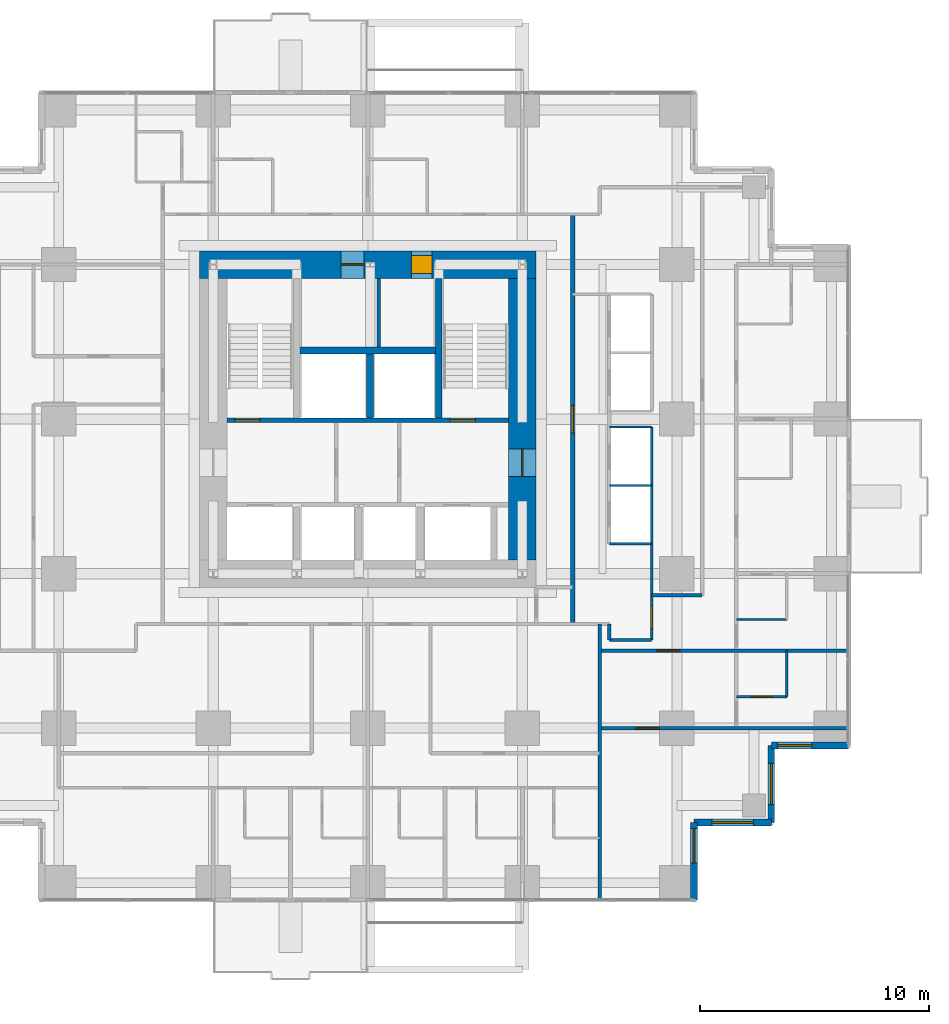
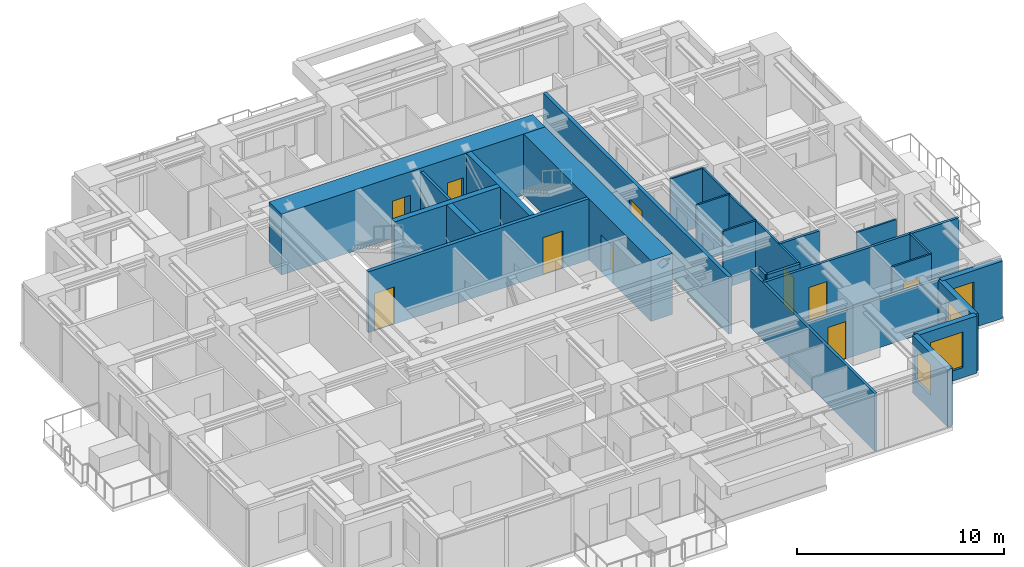
# One storey, part 9 of 13: 25 walls, 10 doors, 4 windows, 14 openings.
"""IFC4 building model written with IfcOpenShell, lengths in metres."""

from ifc_helpers import new_model, si_unit, direction, frame, frame_2d, origin, place, context, subcontext, project, spatial, rectangle, extrude, material, layer, layer_set, type_object, element, fill, save


model = new_model("IFC4")

# Units and contexts
model_context = context("Model", 3, precision=1e-05, world=origin(), true_north=direction((0.0, 1.0)))
body_context = subcontext(model_context, "Body", "Model", "MODEL_VIEW")
ifc_project = project(units=[si_unit("LENGTHUNIT", "METRE"), si_unit("AREAUNIT", "SQUARE_METRE"), si_unit("VOLUMEUNIT", "CUBIC_METRE"), si_unit("PLANEANGLEUNIT", "RADIAN"), si_unit("MASSUNIT", "GRAM", prefix="KILO")], contexts=[model_context])

# Site, building, storey
site_placement = place(None, origin())
site = spatial("IfcSite", under=ifc_project, at=site_placement, CompositionType="ELEMENT")
building_placement = place(site_placement, origin())
building = spatial("IfcBuilding", under=site, at=building_placement, Name="Nyansa Garden Tower", CompositionType="ELEMENT")
storey_placement = place(building_placement, frame((0.0, 0.0, 123.300048828125)))
storey = spatial("IfcBuildingStorey", under=building, at=storey_placement, Name="L33", CompositionType="ELEMENT", Elevation=123.300048828125)

# Wall, openings, doors
ifc_material_1 = material(Name="Concrete C70/85", Category="concrete")
ifc_layer_1 = layer(ifc_material_1, 0.199951171875)
ifc_layer_set_1 = layer_set([ifc_layer_1], Name="Core inner wall CI200")
wall_type_1 = type_object("IfcWallType", Name="Core inner wall CI200", PredefinedType="SHEAR", material=ifc_layer_set_1)
wall_1_placement = place(storey_placement, frame((14.10009765625, 20.199951171875, 0.0), z_axis=(0.0, 0.0, 1.0), x_axis=(1.0, 0.0, 0.0)))
wall_1 = element("IfcWall", 1, at=wall_1_placement, inside=storey, type_object=wall_type_1, Name="Core inner wall L33", PredefinedType="SHEAR", context=body_context, shape_type="SweptSolid", body=[
    extrude(rectangle(XDim=12.2998046875, YDim=0.199951171875, at=frame_2d((6.14990234375, 0.0))), origin(), (0.0, 0.0, 1.0), 3.599853515625),
])
opening_1_placement = place(wall_1_placement, frame((0.35009765625, 0.0, 0.0)))
opening_1 = element("IfcOpeningElement", 2, at=opening_1_placement, cuts=wall_1, Name="Opening D05", PredefinedType="OPENING", context=body_context, shape_type="SweptSolid", body=[
    extrude(rectangle(XDim=1.10009765625, YDim=2.199951171875, at=frame_2d((0.550048828125, 1.10009765625))), frame((0.0, 0.10986328125, 0.0), z_axis=(0.0, -1.0, 0.0), x_axis=(1.0, 0.0, 0.0)), (0.0, 0.0, 1.0), 0.219970703125),
])
opening_2_placement = place(wall_1_placement, frame((9.75, 0.0, 0.0)))
opening_2 = element("IfcOpeningElement", 3, at=opening_2_placement, cuts=wall_1, Name="Opening D05", PredefinedType="OPENING", context=body_context, shape_type="SweptSolid", body=[
    extrude(rectangle(XDim=1.10009765625, YDim=2.199951171875, at=frame_2d((0.550048828125, 1.10009765625))), frame((0.0, 0.10986328125, 0.0), z_axis=(0.0, -1.0, 0.0), x_axis=(1.0, 0.0, 0.0)), (0.0, 0.0, 1.0), 0.219970703125),
])
ifc_material_2 = material(Name="Steel door, 120 minute fire resisting", Category="steel")
door_type_1 = type_object("IfcDoorType", Name="Stair door D05 1100x2200", OperationType="SINGLE_SWING_LEFT", PredefinedType="DOOR", material=ifc_material_2)
door_1_placement = place(opening_1_placement, origin())
door_1 = element("IfcDoor", 4, at=door_1_placement, inside=storey, type_object=door_type_1, Name="Stair S1 door", OperationType="SINGLE_SWING_LEFT", OverallHeight=2.199951171875, OverallWidth=1.10009765625, PredefinedType="DOOR", context=body_context, shape_type="SweptSolid", body=[
    extrude(rectangle(XDim=1.10009765625, YDim=2.199951171875, at=frame_2d((0.550048828125, 1.10009765625))), frame((0.0, 0.02490234375, 0.0), z_axis=(0.0, -1.0, 0.0), x_axis=(1.0, 0.0, 0.0)), (0.0, 0.0, 1.0), 0.050048828125),
])
fill(opening_1, door_1)
door_2_placement = place(opening_2_placement, origin())
door_2 = element("IfcDoor", 5, at=door_2_placement, inside=storey, type_object=door_type_1, Name="Stair S2 door", OperationType="SINGLE_SWING_LEFT", OverallHeight=2.199951171875, OverallWidth=1.10009765625, PredefinedType="DOOR", context=body_context, shape_type="SweptSolid", body=[
    extrude(rectangle(XDim=1.10009765625, YDim=2.199951171875, at=frame_2d((0.550048828125, 1.10009765625))), frame((0.0, 0.02490234375, 0.0), z_axis=(0.0, -1.0, 0.0), x_axis=(1.0, 0.0, 0.0)), (0.0, 0.0, 1.0), 0.050048828125),
])
fill(opening_2, door_2)

# Walls
ifc_material_3 = material(Name="Concrete C70/85", Category="concrete")
ifc_layer_2 = layer(ifc_material_3, 0.300048828125)
ifc_layer_set_2 = layer_set([ifc_layer_2], Name="Core inner wall CI300")
wall_type_2 = type_object("IfcWallType", Name="Core inner wall CI300", PredefinedType="SHEAR", material=ifc_layer_set_2)
wall_2_placement = place(storey_placement, frame((23.35009765625, 20.300048828125, 0.0), z_axis=(0.0, 0.0, 1.0), x_axis=(0.0, 1.0, 0.0)))
element("IfcWall", 6, at=wall_2_placement, inside=storey, type_object=wall_type_2, Name="Core inner wall L33", PredefinedType="SHEAR", context=body_context, shape_type="SweptSolid", body=[
    extrude(rectangle(XDim=6.099853515625, YDim=0.300048828125, at=frame_2d((3.0498046875, 0.0))), origin(), (0.0, 0.0, 1.0), 3.599853515625),
])
wall_3_placement = place(storey_placement, frame((20.35009765625, 20.300048828125, 0.0), z_axis=(0.0, 0.0, 1.0), x_axis=(0.0, 1.0, 0.0)))
element("IfcWall", 7, at=wall_3_placement, inside=storey, type_object=wall_type_2, Name="Core inner wall L33", PredefinedType="SHEAR", context=body_context, shape_type="SweptSolid", body=[
    extrude(rectangle(XDim=2.800048828125, YDim=0.300048828125, at=frame_2d((1.39990234375, 0.0))), origin(), (0.0, 0.0, 1.0), 3.599853515625),
])
wall_4_placement = place(storey_placement, frame((17.300048828125, 23.25, 0.0), z_axis=(0.0, 0.0, 1.0), x_axis=(1.0, 0.0, 0.0)))
element("IfcWall", 8, at=wall_4_placement, inside=storey, type_object=wall_type_2, Name="Core inner wall L33", PredefinedType="SHEAR", context=body_context, shape_type="SweptSolid", body=[
    extrude(rectangle(XDim=5.89990234375, YDim=0.300048828125, at=frame_2d((2.949951171875, 0.0))), origin(), (0.0, 0.0, 1.0), 3.599853515625),
])

# Wall, opening, door
ifc_material_4 = material(Name="Concrete C80/95", Category="concrete")
ifc_layer_3 = layer(ifc_material_4, 1.199951171875)
ifc_layer_set_3 = layer_set([ifc_layer_3], Name="Core wall CW1200")
wall_type_3 = type_object("IfcWallType", Name="Core wall CW1200", PredefinedType="SHEAR", material=ifc_layer_set_3)
wall_5_placement = place(storey_placement, frame((27.0, 14.10009765625, 0.0), z_axis=(0.0, 0.0, 1.0), x_axis=(0.0, 1.0, 0.0)))
wall_5 = element("IfcWall", 9, at=wall_5_placement, inside=storey, type_object=wall_type_3, Name="Core wall E L33", PredefinedType="SHEAR", context=body_context, shape_type="SweptSolid", body=[
    extrude(rectangle(XDim=12.2998046875, YDim=1.199951171875, at=frame_2d((6.14990234375, 0.0))), origin(), (0.0, 0.0, 1.0), 3.599853515625),
])
opening_3_placement = place(wall_5_placement, frame((3.64990234375, 0.0, 0.0)))
opening_3 = element("IfcOpeningElement", 10, at=opening_3_placement, cuts=wall_5, Name="Opening D06", PredefinedType="OPENING", context=body_context, shape_type="SweptSolid", body=[
    extrude(rectangle(XDim=1.199951171875, YDim=2.199951171875, at=frame_2d((0.60009765625, 1.10009765625))), frame((0.0, 0.60986328125, 0.0), z_axis=(0.0, -1.0, 0.0), x_axis=(1.0, 0.0, 0.0)), (0.0, 0.0, 1.0), 1.219970703125),
])
ifc_material_5 = material(Name="Steel door, 120 minute fire resisting", Category="steel")
door_type_2 = type_object("IfcDoorType", Name="Lobby door D06 1200x2200", OperationType="DOUBLE_DOOR_SINGLE_SWING", PredefinedType="DOOR", material=ifc_material_5)
door_3_placement = place(opening_3_placement, origin())
door_3 = element("IfcDoor", 11, at=door_3_placement, inside=storey, type_object=door_type_2, Name="Lift lobby door east", OperationType="DOUBLE_DOOR_SINGLE_SWING", OverallHeight=2.199951171875, OverallWidth=1.199951171875, PredefinedType="DOOR", context=body_context, shape_type="SweptSolid", body=[
    extrude(rectangle(XDim=1.199951171875, YDim=2.199951171875, at=frame_2d((0.60009765625, 1.10009765625))), frame((0.0, 0.02490234375, 0.0), z_axis=(0.0, -1.0, 0.0), x_axis=(1.0, 0.0, 0.0)), (0.0, 0.0, 1.0), 0.050048828125),
])
fill(opening_3, door_3)

# Wall, openings, doors
wall_6_placement = place(storey_placement, frame((27.60009765625, 27.0, 0.0), z_axis=(0.0, 0.0, 1.0), x_axis=(-1.0, 0.0, 0.0)))
wall_6 = element("IfcWall", 12, at=wall_6_placement, inside=storey, type_object=wall_type_3, Name="Core wall N L33", PredefinedType="SHEAR", context=body_context, shape_type="SweptSolid", body=[
    extrude(rectangle(XDim=14.7001953125, YDim=1.199951171875, at=frame_2d((7.35009765625, 0.0))), origin(), (0.0, 0.0, 1.0), 3.599853515625),
])
opening_4_placement = place(wall_6_placement, frame((4.550048828125, 0.0, 0.0)))
opening_4 = element("IfcOpeningElement", 13, at=opening_4_placement, cuts=wall_6, Name="Opening D15", PredefinedType="OPENING", context=body_context, shape_type="SweptSolid", body=[
    extrude(rectangle(XDim=0.89990234375, YDim=2.199951171875, at=frame_2d((0.449951171875, 1.10009765625))), frame((0.0, 0.60986328125, 0.0), z_axis=(0.0, -1.0, 0.0), x_axis=(1.0, 0.0, 0.0)), (0.0, 0.0, 1.0), 1.219970703125),
])
opening_5_placement = place(wall_6_placement, frame((7.52490234375, 0.0, 0.0)))
opening_5 = element("IfcOpeningElement", 14, at=opening_5_placement, cuts=wall_6, Name="Opening D07", PredefinedType="OPENING", context=body_context, shape_type="SweptSolid", body=[
    extrude(rectangle(XDim=1.0, YDim=2.199951171875, at=frame_2d((0.5, 1.10009765625))), frame((0.0, 0.60986328125, 0.0), z_axis=(0.0, -1.0, 0.0), x_axis=(1.0, 0.0, 0.0)), (0.0, 0.0, 1.0), 1.219970703125),
])
ifc_material_6 = material(Name="Timber flush door, 60 minute fire resisting, self-closing", Category="wood")
door_type_3 = type_object("IfcDoorType", Name="Core room door D15 900x2200", OperationType="SINGLE_SWING_LEFT", PredefinedType="DOOR", material=ifc_material_6)
door_4_placement = place(opening_4_placement, origin())
door_4 = element("IfcDoor", 15, at=door_4_placement, inside=storey, type_object=door_type_3, Name="Core room door", OperationType="SINGLE_SWING_LEFT", OverallHeight=2.199951171875, OverallWidth=0.89990234375, PredefinedType="DOOR", context=body_context, shape_type="SweptSolid", body=[
    extrude(rectangle(XDim=0.89990234375, YDim=2.199951171875, at=frame_2d((0.449951171875, 1.10009765625))), frame((0.0, 0.39990234375, 0.0), z_axis=(0.0, -1.0, 0.0), x_axis=(1.0, 0.0, 0.0)), (0.0, 0.0, 1.0), 0.800048828125),
])
fill(opening_4, door_4)
ifc_material_7 = material(Name="Steel door, 120 minute fire resisting", Category="steel")
door_type_4 = type_object("IfcDoorType", Name="Riser door D07 1000x2200", OperationType="SINGLE_SWING_LEFT", PredefinedType="DOOR", material=ifc_material_7)
door_5_placement = place(opening_5_placement, origin())
door_5 = element("IfcDoor", 16, at=door_5_placement, inside=storey, type_object=door_type_4, Name="Riser and refuse room door", OperationType="SINGLE_SWING_LEFT", OverallHeight=2.199951171875, OverallWidth=1.0, PredefinedType="DOOR", context=body_context, shape_type="SweptSolid", body=[
    extrude(rectangle(XDim=1.0, YDim=2.199951171875, at=frame_2d((0.5, 1.10009765625))), frame((0.0, 0.02490234375, 0.0), z_axis=(0.0, -1.0, 0.0), x_axis=(1.0, 0.0, 0.0)), (0.0, 0.0, 1.0), 0.050048828125),
])
fill(opening_5, door_5)

# Wall, opening, door
ifc_material_8 = material(Name="Concrete blockwork, plastered, 60 minute fire resisting", Category="masonry")
ifc_layer_4 = layer(ifc_material_8, 0.199951171875)
ifc_layer_set_4 = layer_set([ifc_layer_4], Name="Corridor wall FW200")
wall_type_4 = type_object("IfcWallType", Name="Corridor wall FW200", PredefinedType="PARTITIONING", material=ifc_layer_set_4)
wall_7_placement = place(storey_placement, frame((29.199951171875, 11.300048828125, 0.0), z_axis=(0.0, 0.0, 1.0), x_axis=(0.0, 1.0, 0.0)))
wall_7 = element("IfcWall", 17, at=wall_7_placement, inside=storey, type_object=wall_type_4, Name="Corridor wall", PredefinedType="PARTITIONING", context=body_context, shape_type="SweptSolid", body=[
    extrude(rectangle(XDim=17.89990234375, YDim=0.199951171875, at=frame_2d((8.949951171875, 0.0))), origin(), (0.0, 0.0, 1.0), 3.375),
])
opening_6_placement = place(wall_7_placement, frame((8.35009765625, 0.0, 0.0)))
opening_6 = element("IfcOpeningElement", 18, at=opening_6_placement, cuts=wall_7, Name="Opening D06", PredefinedType="OPENING", context=body_context, shape_type="SweptSolid", body=[
    extrude(rectangle(XDim=1.199951171875, YDim=2.199951171875, at=frame_2d((0.60009765625, 1.10009765625))), frame((0.0, 0.10986328125, 0.0), z_axis=(0.0, -1.0, 0.0), x_axis=(1.0, 0.0, 0.0)), (0.0, 0.0, 1.0), 0.219970703125),
])
door_6_placement = place(opening_6_placement, origin())
door_6 = element("IfcDoor", 19, at=door_6_placement, inside=storey, type_object=door_type_2, Name="Low-rise lift lobby door", OperationType="DOUBLE_DOOR_SINGLE_SWING", OverallHeight=2.199951171875, OverallWidth=1.199951171875, PredefinedType="DOOR", context=body_context, shape_type="SweptSolid", body=[
    extrude(rectangle(XDim=1.199951171875, YDim=2.199951171875, at=frame_2d((0.60009765625, 1.10009765625))), frame((0.0, 0.02490234375, 0.0), z_axis=(0.0, -1.0, 0.0), x_axis=(1.0, 0.0, 0.0)), (0.0, 0.0, 1.0), 0.050048828125),
])
fill(opening_6, door_6)

# Walls
ifc_material_9 = material(Name="Steel-stud shaft wall, two layers fire-rated board, EI 120", Category="steel")
ifc_layer_5 = layer(ifc_material_9, 0.10009765625)
ifc_layer_set_5 = layer_set([ifc_layer_5], Name="Lift shaft wall SW100")
wall_type_5 = type_object("IfcWallType", Name="Lift shaft wall SW100", PredefinedType="SHEAR", material=ifc_layer_set_5)
for number, where, z_axis, x_axis, name in (
    (20, (30.800048828125, 14.800048828125, 0.0), (0.0, 0.0, 1.0), (1.0, 0.0, 0.0), "Lift shaft wall"),
    (21, (30.800048828125, 17.35009765625, 0.0), (0.0, 0.0, 1.0), (1.0, 0.0, 0.0), "Lift shaft wall"),
    (22, (30.800048828125, 19.89990234375, 0.0), (0.0, 0.0, 1.0), (1.0, 0.0, 0.0), "Lift shaft wall"),
):
    element("IfcWall", number, at=place(storey_placement, frame(where, z_axis=z_axis, x_axis=x_axis)), inside=storey, type_object=wall_type_5, Name=name, PredefinedType="SHEAR", context=body_context, shape_type="SweptSolid", body=[
        extrude(rectangle(XDim=1.849853515625, YDim=0.10009765625, at=frame_2d((0.9248046875, 0.0))), origin(), (0.0, 0.0, 1.0), 3.375),
    ])

# Wall, opening, door
wall_8_placement = place(storey_placement, frame((32.64990234375, 10.60009765625, 0.0), z_axis=(0.0, 0.0, 1.0), x_axis=(0.0, 1.0, 0.0)))
wall_8 = element("IfcWall", 23, at=wall_8_placement, inside=storey, type_object=wall_type_5, Name="Lift shaft wall", PredefinedType="SHEAR", context=body_context, shape_type="SweptSolid", body=[
    extrude(rectangle(XDim=9.2998046875, YDim=0.10009765625, at=frame_2d((4.64990234375, 0.0))), origin(), (0.0, 0.0, 1.0), 3.375),
])
opening_7_placement = place(wall_8_placement, frame((0.5, 0.0, 0.0)))
opening_7 = element("IfcOpeningElement", 24, at=opening_7_placement, cuts=wall_8, Name="Opening D03", PredefinedType="OPENING", context=body_context, shape_type="SweptSolid", body=[
    extrude(rectangle(XDim=1.0, YDim=2.199951171875, at=frame_2d((0.5, 1.10009765625))), frame((0.0, 0.06005859375, 0.0), z_axis=(0.0, -1.0, 0.0), x_axis=(1.0, 0.0, 0.0)), (0.0, 0.0, 1.0), 0.1201171875),
])
ifc_material_10 = material(Name="Timber flush door, 60 minute fire resisting", Category="wood")
door_type_5 = type_object("IfcDoorType", Name="Cluster entrance door D03 1000x2200", OperationType="SINGLE_SWING_LEFT", PredefinedType="DOOR", material=ifc_material_10)
door_7_placement = place(opening_7_placement, origin())
door_7 = element("IfcDoor", 25, at=door_7_placement, inside=storey, type_object=door_type_5, Name="Door L33-042", OperationType="SINGLE_SWING_LEFT", OverallHeight=2.199951171875, OverallWidth=1.0, PredefinedType="DOOR", context=body_context, shape_type="SweptSolid", body=[
    extrude(rectangle(XDim=1.0, YDim=2.199951171875, at=frame_2d((0.5, 1.10009765625))), frame((0.0, 0.02490234375, 0.0), z_axis=(0.0, -1.0, 0.0), x_axis=(1.0, 0.0, 0.0)), (0.0, 0.0, 1.0), 0.050048828125),
])
fill(opening_7, door_7)

# Walls
ifc_material_11 = material(Name="Blockwork, plastered both sides", Category="masonry")
ifc_layer_6 = layer(ifc_material_11, 0.14990234375)
ifc_layer_set_6 = layer_set([ifc_layer_6], Name="Partition PW150")
wall_type_6 = type_object("IfcWallType", Name="Partition PW150", PredefinedType="PARTITIONING", material=ifc_layer_set_6)
wall_9_placement = place(storey_placement, frame((20.72509765625, 23.39990234375, 0.0), z_axis=(0.0, 0.0, 1.0), x_axis=(0.0, 1.0, 0.0)))
element("IfcWall", 26, at=wall_9_placement, inside=storey, type_object=wall_type_6, Name="Partition", PredefinedType="PARTITIONING", context=body_context, shape_type="SweptSolid", body=[
    extrude(rectangle(XDim=3.0, YDim=0.14990234375, at=frame_2d((1.5, 0.0))), origin(), (0.0, 0.0, 1.0), 3.375),
])
wall_10_placement = place(storey_placement, frame((30.375, -0.73388671875, 0.0), z_axis=(0.0, 0.0, 1.0), x_axis=(0.0, 1.0, 0.0)))
element("IfcWall", 27, at=wall_10_placement, inside=storey, type_object=wall_type_6, Name="Partition", PredefinedType="PARTITIONING", context=body_context, shape_type="SweptSolid", body=[
    extrude(rectangle(XDim=12.033935546875, YDim=0.14990234375, at=frame_2d((6.01708984375, 0.0))), origin(), (0.0, 0.0, 1.0), 3.375),
])

# Wall, opening, door
wall_11_placement = place(storey_placement, frame((30.375, 6.75, 0.0), z_axis=(0.0, 0.0, 1.0), x_axis=(1.0, 0.0, 0.0)))
wall_11 = element("IfcWall", 28, at=wall_11_placement, inside=storey, type_object=wall_type_6, Name="Partition", PredefinedType="PARTITIONING", context=body_context, shape_type="SweptSolid", body=[
    extrude(rectangle(XDim=10.85888671875, YDim=0.14990234375, at=frame_2d((5.429443359375, 0.0))), origin(), (0.0, 0.0, 1.0), 2.876953125),
])
opening_8_placement = place(wall_11_placement, frame((1.60009765625, 0.0, 0.0)))
opening_8 = element("IfcOpeningElement", 29, at=opening_8_placement, cuts=wall_11, Name="Opening D03", PredefinedType="OPENING", context=body_context, shape_type="SweptSolid", body=[
    extrude(rectangle(XDim=1.0, YDim=2.199951171875, at=frame_2d((0.5, 1.10009765625))), frame((0.0, 0.0849609375, 0.0), z_axis=(0.0, -1.0, 0.0), x_axis=(1.0, 0.0, 0.0)), (0.0, 0.0, 1.0), 0.169921875),
])
door_8_placement = place(opening_8_placement, origin())
door_8 = element("IfcDoor", 30, at=door_8_placement, inside=storey, type_object=door_type_5, Name="Door L33-032", OperationType="SINGLE_SWING_LEFT", OverallHeight=2.199951171875, OverallWidth=1.0, PredefinedType="DOOR", context=body_context, shape_type="SweptSolid", body=[
    extrude(rectangle(XDim=1.0, YDim=2.199951171875, at=frame_2d((0.5, 1.10009765625))), frame((0.0, 0.02490234375, 0.0), z_axis=(0.0, -1.0, 0.0), x_axis=(1.0, 0.0, 0.0)), (0.0, 0.0, 1.0), 0.050048828125),
])
fill(opening_8, door_8)

wall_12_placement = place(storey_placement, frame((30.375, 10.125, 0.0), z_axis=(0.0, 0.0, 1.0), x_axis=(1.0, 0.0, 0.0)))
wall_12 = element("IfcWall", 31, at=wall_12_placement, inside=storey, type_object=wall_type_6, Name="Partition", PredefinedType="PARTITIONING", context=body_context, shape_type="SweptSolid", body=[
    extrude(rectangle(XDim=10.85888671875, YDim=0.14990234375, at=frame_2d((5.429443359375, 0.0))), origin(), (0.0, 0.0, 1.0), 3.375),
])
opening_9_placement = place(wall_12_placement, frame((2.5, 0.0, 0.0)))
opening_9 = element("IfcOpeningElement", 32, at=opening_9_placement, cuts=wall_12, Name="Opening D03", PredefinedType="OPENING", context=body_context, shape_type="SweptSolid", body=[
    extrude(rectangle(XDim=1.0, YDim=2.199951171875, at=frame_2d((0.5, 1.10009765625))), frame((0.0, 0.0849609375, 0.0), z_axis=(0.0, -1.0, 0.0), x_axis=(1.0, 0.0, 0.0)), (0.0, 0.0, 1.0), 0.169921875),
])
door_9_placement = place(opening_9_placement, origin())
door_9 = element("IfcDoor", 33, at=door_9_placement, inside=storey, type_object=door_type_5, Name="Door L33-035", OperationType="SINGLE_SWING_LEFT", OverallHeight=2.199951171875, OverallWidth=1.0, PredefinedType="DOOR", context=body_context, shape_type="SweptSolid", body=[
    extrude(rectangle(XDim=1.0, YDim=2.199951171875, at=frame_2d((0.5, 1.10009765625))), frame((0.0, 0.02490234375, 0.0), z_axis=(0.0, -1.0, 0.0), x_axis=(1.0, 0.0, 0.0)), (0.0, 0.0, 1.0), 0.050048828125),
])
fill(opening_9, door_9)

# Walls
wall_13_placement = place(storey_placement, frame((30.800048828125, 10.60009765625, 0.0), z_axis=(0.0, 0.0, 1.0), x_axis=(0.0, 1.0, 0.0)))
element("IfcWall", 34, at=wall_13_placement, inside=storey, type_object=wall_type_6, Name="Partition", PredefinedType="PARTITIONING", context=body_context, shape_type="SweptSolid", body=[
    extrude(rectangle(XDim=0.699951171875, YDim=0.14990234375, at=frame_2d((0.35009765625, 0.0))), origin(), (0.0, 0.0, 1.0), 3.375),
])
wall_14_placement = place(storey_placement, frame((30.800048828125, 10.60009765625, 0.0), z_axis=(0.0, 0.0, 1.0), x_axis=(1.0, 0.0, 0.0)))
element("IfcWall", 35, at=wall_14_placement, inside=storey, type_object=wall_type_6, Name="Partition", PredefinedType="PARTITIONING", context=body_context, shape_type="SweptSolid", body=[
    extrude(rectangle(XDim=1.849853515625, YDim=0.14990234375, at=frame_2d((0.9248046875, 0.0))), origin(), (0.0, 0.0, 1.0), 3.375),
])
wall_15_placement = place(storey_placement, frame((32.64990234375, 12.550048828125, 0.0), z_axis=(0.0, 0.0, 1.0), x_axis=(1.0, 0.0, 0.0)))
element("IfcWall", 36, at=wall_15_placement, inside=storey, type_object=wall_type_6, Name="Partition", PredefinedType="PARTITIONING", context=body_context, shape_type="SweptSolid", body=[
    extrude(rectangle(XDim=2.2001953125, YDim=0.14990234375, at=frame_2d((1.10009765625, 0.0))), origin(), (0.0, 0.0, 1.0), 3.375),
])

# Wall, opening, window
ifc_material_12 = material(Name="Turquoise glazed tile on concrete blockwork", Category="masonry")
ifc_layer_7 = layer(ifc_material_12, 0.300048828125)
ifc_layer_set_7 = layer_set([ifc_layer_7], Name="Tiled corner wall TW300")
wall_type_7 = type_object("IfcWallType", Name="Tiled corner wall TW300", PredefinedType="SOLIDWALL", material=ifc_layer_set_7)
wall_16_placement = place(storey_placement, frame((34.5, -0.75, 0.0), z_axis=(0.0, 0.0, 1.0), x_axis=(0.0, 1.0, 0.0)))
wall_16 = element("IfcWall", 37, at=wall_16_placement, inside=storey, type_object=wall_type_7, Name="Tiled corner wall L33", PredefinedType="SOLIDWALL", context=body_context, shape_type="SweptSolid", body=[
    extrude(rectangle(XDim=3.375, YDim=0.300048828125, at=frame_2d((1.6875, 0.0))), origin(), (0.0, 0.0, 1.0), 3.375),
])
opening_10_placement = place(wall_16_placement, frame((1.607421875, 0.0, 0.89990234375)))
opening_10 = element("IfcOpeningElement", 38, at=opening_10_placement, cuts=wall_16, Name="Opening W1", PredefinedType="OPENING", context=body_context, shape_type="SweptSolid", body=[
    extrude(rectangle(XDim=1.5, YDim=1.800048828125, at=frame_2d((0.75, 0.89990234375))), frame((0.0, 0.159912109375, 0.0), z_axis=(0.0, -1.0, 0.0), x_axis=(1.0, 0.0, 0.0)), (0.0, 0.0, 1.0), 0.320068359375),
])
ifc_material_13 = material(Name="Black aluminium frame, dark tinted double glazing", Category="aluminium")
window_type_1 = type_object("IfcWindowType", Name="Window W1 1500x1800", PartitioningType="SINGLE_PANEL", PredefinedType="WINDOW", material=ifc_material_13)
window_1_placement = place(opening_10_placement, origin())
window_1 = element("IfcWindow", 39, at=window_1_placement, inside=storey, type_object=window_type_1, Name="Corner window L33", OverallHeight=1.800048828125, OverallWidth=1.5, PartitioningType="SINGLE_PANEL", PredefinedType="WINDOW", context=body_context, shape_type="SweptSolid", body=[
    extrude(rectangle(XDim=1.5, YDim=1.800048828125, at=frame_2d((0.75, 0.89990234375))), frame((0.0, 0.030029296875, 0.0), z_axis=(0.0, -1.0, 0.0), x_axis=(1.0, 0.0, 0.0)), (0.0, 0.0, 1.0), 0.06005859375),
])
fill(opening_10, window_1)

wall_17_placement = place(storey_placement, frame((34.5, 2.625, 0.0), z_axis=(0.0, 0.0, 1.0), x_axis=(1.0, 0.0, 0.0)))
wall_17 = element("IfcWall", 40, at=wall_17_placement, inside=storey, type_object=wall_type_7, Name="Tiled corner wall L33", PredefinedType="SOLIDWALL", context=body_context, shape_type="SweptSolid", body=[
    extrude(rectangle(XDim=3.375, YDim=0.300048828125, at=frame_2d((1.6875, 0.0))), origin(), (0.0, 0.0, 1.0), 3.375),
])
opening_11_placement = place(wall_17_placement, frame((0.78759765625, 0.0, 0.60009765625)))
opening_11 = element("IfcOpeningElement", 41, at=opening_11_placement, cuts=wall_17, Name="Opening W2", PredefinedType="OPENING", context=body_context, shape_type="SweptSolid", body=[
    extrude(rectangle(XDim=1.800048828125, YDim=2.10009765625, at=frame_2d((0.89990234375, 1.050048828125))), frame((0.0, 0.159912109375, 0.0), z_axis=(0.0, -1.0, 0.0), x_axis=(1.0, 0.0, 0.0)), (0.0, 0.0, 1.0), 0.320068359375),
])
ifc_material_14 = material(Name="Black aluminium frame, dark tinted double glazing", Category="aluminium")
window_type_2 = type_object("IfcWindowType", Name="Window W2 1800x2100", PartitioningType="SINGLE_PANEL", PredefinedType="WINDOW", material=ifc_material_14)
window_2_placement = place(opening_11_placement, origin())
window_2 = element("IfcWindow", 42, at=window_2_placement, inside=storey, type_object=window_type_2, Name="Corner window L33", OverallHeight=2.10009765625, OverallWidth=1.800048828125, PartitioningType="SINGLE_PANEL", PredefinedType="WINDOW", context=body_context, shape_type="SweptSolid", body=[
    extrude(rectangle(XDim=1.800048828125, YDim=2.10009765625, at=frame_2d((0.89990234375, 1.050048828125))), frame((0.0, 0.030029296875, 0.0), z_axis=(0.0, -1.0, 0.0), x_axis=(1.0, 0.0, 0.0)), (0.0, 0.0, 1.0), 0.06005859375),
])
fill(opening_11, window_2)

wall_18_placement = place(storey_placement, frame((37.875, 2.625, 0.0), z_axis=(0.0, 0.0, 1.0), x_axis=(0.0, 1.0, 0.0)))
wall_18 = element("IfcWall", 43, at=wall_18_placement, inside=storey, type_object=wall_type_7, Name="Tiled corner wall L33", PredefinedType="SOLIDWALL", context=body_context, shape_type="SweptSolid", body=[
    extrude(rectangle(XDim=3.375, YDim=0.300048828125, at=frame_2d((1.6875, 0.0))), origin(), (0.0, 0.0, 1.0), 3.375),
])
opening_12_placement = place(wall_18_placement, frame((0.78759765625, 0.0, 0.60009765625)))
opening_12 = element("IfcOpeningElement", 44, at=opening_12_placement, cuts=wall_18, Name="Opening W2", PredefinedType="OPENING", context=body_context, shape_type="SweptSolid", body=[
    extrude(rectangle(XDim=1.800048828125, YDim=2.10009765625, at=frame_2d((0.89990234375, 1.050048828125))), frame((0.0, 0.159912109375, 0.0), z_axis=(0.0, -1.0, 0.0), x_axis=(1.0, 0.0, 0.0)), (0.0, 0.0, 1.0), 0.320068359375),
])
window_3_placement = place(opening_12_placement, origin())
window_3 = element("IfcWindow", 45, at=window_3_placement, inside=storey, type_object=window_type_2, Name="Corner window L33", OverallHeight=2.10009765625, OverallWidth=1.800048828125, PartitioningType="SINGLE_PANEL", PredefinedType="WINDOW", context=body_context, shape_type="SweptSolid", body=[
    extrude(rectangle(XDim=1.800048828125, YDim=2.10009765625, at=frame_2d((0.89990234375, 1.050048828125))), frame((0.0, 0.030029296875, 0.0), z_axis=(0.0, -1.0, 0.0), x_axis=(1.0, 0.0, 0.0)), (0.0, 0.0, 1.0), 0.06005859375),
])
fill(opening_12, window_3)

wall_19_placement = place(storey_placement, frame((37.875, 6.0, 0.0), z_axis=(0.0, 0.0, 1.0), x_axis=(1.0, 0.0, 0.0)))
wall_19 = element("IfcWall", 46, at=wall_19_placement, inside=storey, type_object=wall_type_7, Name="Tiled corner wall L33", PredefinedType="SOLIDWALL", context=body_context, shape_type="SweptSolid", body=[
    extrude(rectangle(XDim=3.375, YDim=0.300048828125, at=frame_2d((1.6875, 0.0))), origin(), (0.0, 0.0, 1.0), 3.375),
])
opening_13_placement = place(wall_19_placement, frame((0.267578125, 0.0, 0.89990234375)))
opening_13 = element("IfcOpeningElement", 47, at=opening_13_placement, cuts=wall_19, Name="Opening W1", PredefinedType="OPENING", context=body_context, shape_type="SweptSolid", body=[
    extrude(rectangle(XDim=1.5, YDim=1.800048828125, at=frame_2d((0.75, 0.89990234375))), frame((0.0, 0.159912109375, 0.0), z_axis=(0.0, -1.0, 0.0), x_axis=(1.0, 0.0, 0.0)), (0.0, 0.0, 1.0), 0.320068359375),
])
window_4_placement = place(opening_13_placement, origin())
window_4 = element("IfcWindow", 48, at=window_4_placement, inside=storey, type_object=window_type_1, Name="Corner window L33", OverallHeight=1.800048828125, OverallWidth=1.5, PartitioningType="SINGLE_PANEL", PredefinedType="WINDOW", context=body_context, shape_type="SweptSolid", body=[
    extrude(rectangle(XDim=1.5, YDim=1.800048828125, at=frame_2d((0.75, 0.89990234375))), frame((0.0, 0.030029296875, 0.0), z_axis=(0.0, -1.0, 0.0), x_axis=(1.0, 0.0, 0.0)), (0.0, 0.0, 1.0), 0.06005859375),
])
fill(opening_13, window_4)

# Wall, opening, door
ifc_material_15 = material(Name="Moisture resistant board on steel studs, tiled", Category="steel")
ifc_layer_8 = layer(ifc_material_15, 0.10009765625)
ifc_layer_set_8 = layer_set([ifc_layer_8], Name="Wet wall PW100")
wall_type_8 = type_object("IfcWallType", Name="Wet wall PW100", PredefinedType="PARTITIONING", material=ifc_layer_set_8)
wall_20_placement = place(storey_placement, frame((36.35009765625, 8.125, 0.0), z_axis=(0.0, 0.0, 1.0), x_axis=(1.0, 0.0, 0.0)))
wall_20 = element("IfcWall", 49, at=wall_20_placement, inside=storey, type_object=wall_type_8, Name="Wet wall", PredefinedType="PARTITIONING", context=body_context, shape_type="SweptSolid", body=[
    extrude(rectangle(XDim=2.199951171875, YDim=0.10009765625, at=frame_2d((1.10009765625, 0.0))), origin(), (0.0, 0.0, 1.0), 3.375),
])
opening_14_placement = place(wall_20_placement, frame((0.64990234375, 0.0, 0.0)))
opening_14 = element("IfcOpeningElement", 50, at=opening_14_placement, cuts=wall_20, Name="Opening D02", PredefinedType="OPENING", context=body_context, shape_type="SweptSolid", body=[
    extrude(rectangle(XDim=0.89990234375, YDim=2.199951171875, at=frame_2d((0.449951171875, 1.10009765625))), frame((0.0, 0.06005859375, 0.0), z_axis=(0.0, -1.0, 0.0), x_axis=(1.0, 0.0, 0.0)), (0.0, 0.0, 1.0), 0.1201171875),
])
ifc_material_16 = material(Name="Timber flush door", Category="wood")
door_type_6 = type_object("IfcDoorType", Name="En-suite door D02 900x2200", OperationType="SINGLE_SWING_RIGHT", PredefinedType="DOOR", material=ifc_material_16)
door_10_placement = place(opening_14_placement, origin())
door_10 = element("IfcDoor", 51, at=door_10_placement, inside=storey, type_object=door_type_6, Name="Door L33-034", OperationType="SINGLE_SWING_RIGHT", OverallHeight=2.199951171875, OverallWidth=0.89990234375, PredefinedType="DOOR", context=body_context, shape_type="SweptSolid", body=[
    extrude(rectangle(XDim=0.89990234375, YDim=2.199951171875, at=frame_2d((0.449951171875, 1.10009765625))), frame((0.0, 0.02490234375, 0.0), z_axis=(0.0, -1.0, 0.0), x_axis=(1.0, 0.0, 0.0)), (0.0, 0.0, 1.0), 0.050048828125),
])
fill(opening_14, door_10)

# Walls
wall_21_placement = place(storey_placement, frame((36.35009765625, 11.5, 0.0), z_axis=(0.0, 0.0, 1.0), x_axis=(1.0, 0.0, 0.0)))
element("IfcWall", 52, at=wall_21_placement, inside=storey, type_object=wall_type_8, Name="Wet wall", PredefinedType="PARTITIONING", context=body_context, shape_type="SweptSolid", body=[
    extrude(rectangle(XDim=2.199951171875, YDim=0.10009765625, at=frame_2d((1.10009765625, 0.0))), origin(), (0.0, 0.0, 1.0), 3.375),
])
wall_22_placement = place(storey_placement, frame((38.550048828125, 8.125, 0.0), z_axis=(0.0, 0.0, 1.0), x_axis=(0.0, 1.0, 0.0)))
element("IfcWall", 53, at=wall_22_placement, inside=storey, type_object=wall_type_8, Name="Wet wall", PredefinedType="PARTITIONING", context=body_context, shape_type="SweptSolid", body=[
    extrude(rectangle(XDim=2.0, YDim=0.10009765625, at=frame_2d((1.0, 0.0))), origin(), (0.0, 0.0, 1.0), 3.375),
])

save(model, "model.ifc")
